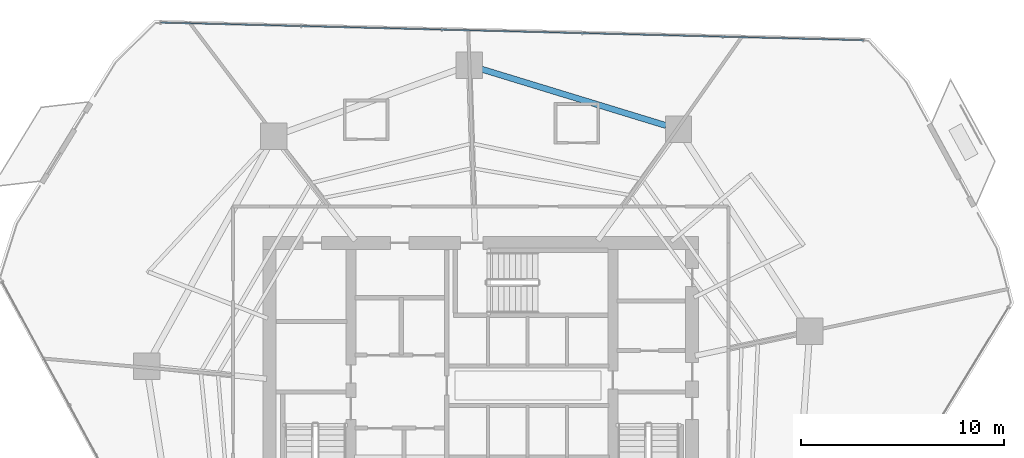
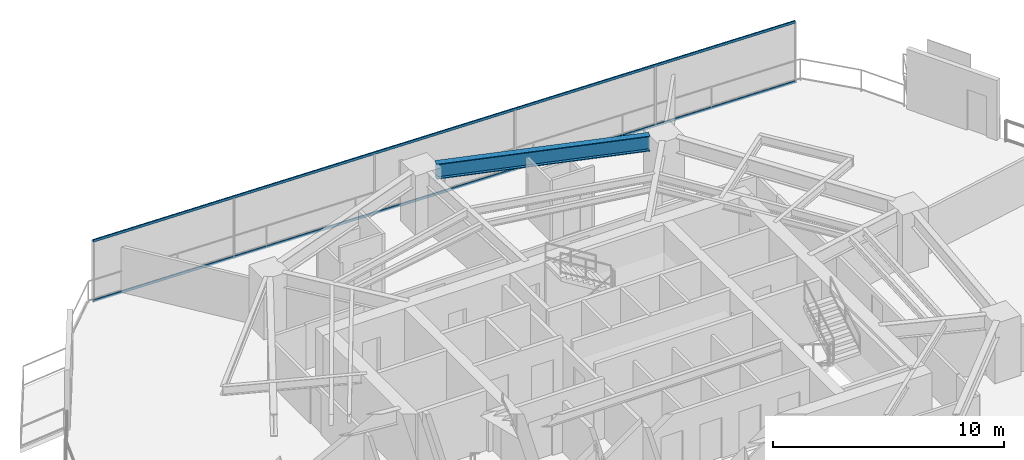
# One storey, part 19 of 30: 2 members, 1 beam, 1 element without a shape of its own.
"""IFC4 building model written with IfcOpenShell, lengths in metres."""

from ifc_helpers import new_model, si_unit, direction, frame, origin, origin_2d, place, context, subcontext, project, spatial, hollow_rectangle, i_section, extrude, material, layer, layer_set, material_profile, profile_set, type_object, element, aggregate, save


model = new_model("IFC4")

# Units and contexts
model_context = context("Model", 3, precision=1e-05, world=origin(), true_north=direction((0.0, 1.0)))
body_context = subcontext(model_context, "Body", "Model", "MODEL_VIEW")
ifc_project = project(units=[si_unit("LENGTHUNIT", "METRE"), si_unit("AREAUNIT", "SQUARE_METRE"), si_unit("VOLUMEUNIT", "CUBIC_METRE"), si_unit("PLANEANGLEUNIT", "RADIAN"), si_unit("MASSUNIT", "GRAM", prefix="KILO")], contexts=[model_context])

# Site, building, storey
site_placement = place(None, origin())
site = spatial("IfcSite", under=ifc_project, at=site_placement, CompositionType="ELEMENT")
building_placement = place(site_placement, origin())
building = spatial("IfcBuilding", under=site, at=building_placement, Name="Qarnah Convention Tower", CompositionType="ELEMENT")
storey_placement = place(building_placement, frame((0.0, 0.0, 61.5)))
storey = spatial("IfcBuildingStorey", under=building, at=storey_placement, Name="L15", CompositionType="ELEMENT", Elevation=61.5)

# Beam
ifc_material_1 = material(Name="Structural steel S355JR", Category="steel")
ifc_material_profile_1 = material_profile(ifc_material_1, i_section(OverallWidth=0.300048828125, OverallDepth=0.800048828125, WebThickness=0.01806640625, FlangeThickness=0.032958984375, at=origin_2d()), Name="HEB800")
ifc_profile_set_1 = profile_set([ifc_material_profile_1], Name="Structural steel S355JR")
beam_type = type_object("IfcBeamType", Name="BM-RING-HEB800", PredefinedType="BEAM", material=ifc_profile_set_1)
beam_placement = place(storey_placement, frame((46.31591796875, 39.97607421875, 2.77001953125), z_axis=(-0.956298871663, 0.292390950707, 0.0), x_axis=(-0.292390950707, -0.956298871663, 0.0)))
element("IfcBeam", 1, at=beam_placement, inside=storey, type_object=beam_type, Name="L15 beam BM-L15-SPN-02", PredefinedType="BEAM", context=body_context, shape_type="SweptSolid", body=[
    extrude(i_section(OverallWidth=0.300048828125, OverallDepth=0.800048828125, WebThickness=0.01806640625, FlangeThickness=0.032958984375, at=origin_2d()), origin(), (0.0, 0.0, 1.0), 9.4970703125),
])

# Curtain wall, members
ifc_material_2 = material(Name="Tempered Low-E dark glass", Category="glass")
ifc_layer = layer(ifc_material_2, 0.16796875)
ifc_layer_set = layer_set([ifc_layer], Name="Tempered Low-E dark glass")
curtain_wall_type = type_object("IfcCurtainWallType", Name="CWS-01", PredefinedType="NOTDEFINED", material=ifc_layer_set)
curtain_wall_placement = place(storey_placement, origin())
curtain_wall = element("IfcCurtainWall", 2, at=curtain_wall_placement, inside=storey, type_object=curtain_wall_type, Name="L15 unitised curtain wall CW-L15-F1", PredefinedType="NOTDEFINED")
ifc_material_3 = material(Name="Black anodised aluminium", Category="aluminium")
ifc_material_profile_2 = material_profile(ifc_material_3, hollow_rectangle(XDim=0.06005859375, YDim=0.1298828125, WallThickness=0.00390625, at=origin_2d()), Name="TRN-60X130")
ifc_profile_set_2 = profile_set([ifc_material_profile_2], Name="Black anodised aluminium")
member_type = type_object("IfcMemberType", Name="TRN-T1", PredefinedType="USERDEFINED", material=ifc_profile_set_2)
member_1_placement = place(storey_placement, frame((21.431884765625, 45.044921875, 0.0), z_axis=(0.999684829122, -0.025104629534, 0.0), x_axis=(0.025104629534, 0.999684829122, 0.0)))
member_1 = element("IfcMember", 3, at=member_1_placement, type_object=member_type, Name="CW-L15-F1 transom 1", ObjectType="TRANSOM", PredefinedType="USERDEFINED", context=body_context, shape_type="SweptSolid", body=[
    extrude(hollow_rectangle(XDim=0.06005859375, YDim=0.1298828125, WallThickness=0.00390625, at=origin_2d()), origin(), (0.0, 0.0, 1.0), 34.611083984375),
])
member_2_placement = place(storey_placement, frame((21.431884765625, 45.044921875, 3.169921875), z_axis=(0.999684829122, -0.025104629534, 0.0), x_axis=(0.025104629534, 0.999684829122, 0.0)))
member_2 = element("IfcMember", 4, at=member_2_placement, type_object=member_type, Name="CW-L15-F1 transom 2", ObjectType="TRANSOM", PredefinedType="USERDEFINED", context=body_context, shape_type="SweptSolid", body=[
    extrude(hollow_rectangle(XDim=0.06005859375, YDim=0.1298828125, WallThickness=0.00390625, at=origin_2d()), origin(), (0.0, 0.0, 1.0), 34.611083984375),
])
aggregate(curtain_wall, [member_1, member_2])

save(model, "model.ifc")
